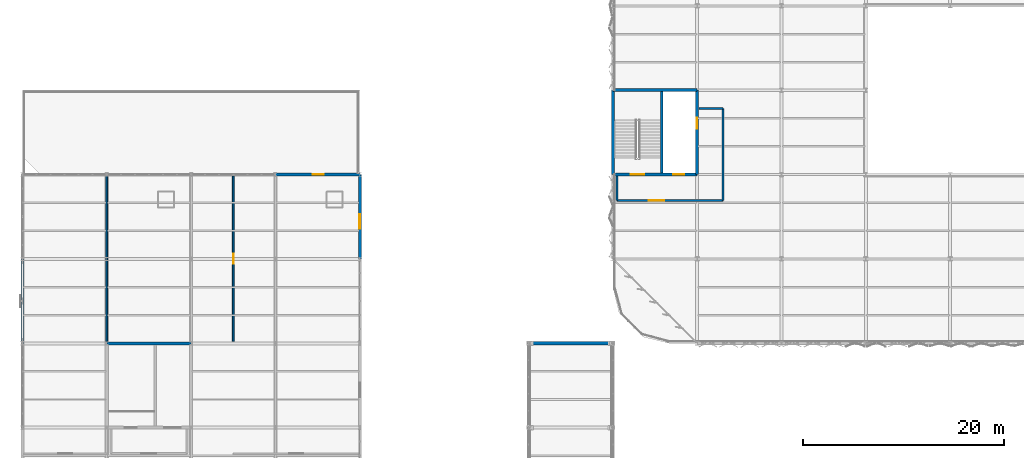
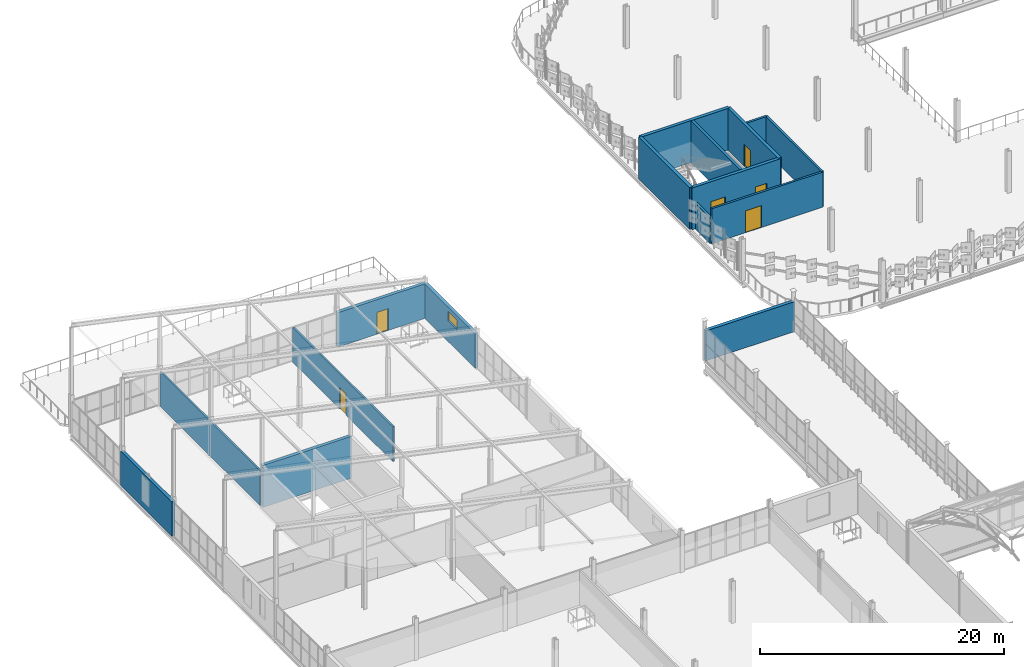
# One storey, part 157 of 184: 16 walls, 6 doors, 1 window, 7 openings.
"""IFC4 building model written with IfcOpenShell, lengths in metres."""

from ifc_helpers import new_model, si_unit, direction, frame, frame_2d, origin, place, context, subcontext, project, spatial, rectangle, extrude, material, layer, layer_set, type_object, element, fill, save


model = new_model("IFC4")

# Units and contexts
model_context = context("Model", 3, precision=1e-05, world=origin(), true_north=direction((0.0, 1.0)))
body_context = subcontext(model_context, "Body", "Model", "MODEL_VIEW")
ifc_project = project(units=[si_unit("LENGTHUNIT", "METRE"), si_unit("AREAUNIT", "SQUARE_METRE"), si_unit("VOLUMEUNIT", "CUBIC_METRE"), si_unit("PLANEANGLEUNIT", "RADIAN"), si_unit("MASSUNIT", "GRAM", prefix="KILO")], contexts=[model_context])

# Site, building, storey
site_placement = place(None, origin())
site = spatial("IfcSite", under=ifc_project, at=site_placement, CompositionType="ELEMENT")
building_placement = place(site_placement, origin())
building = spatial("IfcBuilding", under=site, at=building_placement, Name="Qalvenar Corner Mobility Hub", CompositionType="ELEMENT")
storey_placement = place(building_placement, frame((0.0, 0.0, 9.0)))
storey = spatial("IfcBuildingStorey", under=building, at=storey_placement, Name="L02", CompositionType="ELEMENT", Elevation=9.0)

# Wall
ifc_material_1 = material(Name="Concrete C40/50", Category="concrete")
ifc_layer_1 = layer(ifc_material_1, 0.25)
ifc_layer_set_1 = layer_set([ifc_layer_1], Name="Concrete C40/50")
wall_type_1 = type_object("IfcWallType", Name="WL-CORE250", PredefinedType="SHEAR", material=ifc_layer_set_1)
wall_1_placement = place(storey_placement, frame((63.64990234375, 84.14990234375, 0.0), z_axis=(0.0, 0.0, 1.0), x_axis=(0.0, 1.0, 0.0)))
element("IfcWall", 1, at=wall_1_placement, inside=storey, type_object=wall_type_1, Name="Core Divider Wall C3-L02", PredefinedType="SHEAR", context=body_context, shape_type="SweptSolid", body=[
    extrude(rectangle(XDim=8.10009765625, YDim=0.25, at=frame_2d((4.050048828125, 0.0))), origin(), (0.0, 0.0, 1.0), 4.199951171875),
])

# Wall, openings, doors
ifc_layer_2 = layer(ifc_material_1, 0.300048828125)
ifc_layer_set_2 = layer_set([ifc_layer_2], Name="Concrete C40/50")
wall_type_2 = type_object("IfcWallType", Name="WL-CORE300", PredefinedType="SHEAR", material=ifc_layer_set_2)
wall_2_placement = place(storey_placement, frame((58.800048828125, 84.0, 0.0), z_axis=(0.0, 0.0, 1.0), x_axis=(1.0, 0.0, 0.0)))
wall_2 = element("IfcWall", 2, at=wall_2_placement, inside=storey, type_object=wall_type_2, Name="Core Shear Wall C3-L02-S", PredefinedType="SHEAR", context=body_context, shape_type="SweptSolid", body=[
    extrude(rectangle(XDim=8.39990234375, YDim=0.300048828125, at=frame_2d((4.199951171875, 0.0))), origin(), (0.0, 0.0, 1.0), 4.199951171875),
])
opening_1_placement = place(wall_2_placement, frame((1.800048828125, 0.0, 0.0)))
opening_1 = element("IfcOpeningElement", 3, at=opening_1_placement, cuts=wall_2, Name="Opening DR-166", PredefinedType="OPENING", context=body_context, shape_type="SweptSolid", body=[
    extrude(rectangle(XDim=1.35009765625, YDim=2.199951171875, at=frame_2d((0.675048828125, 1.10009765625))), frame((0.0, 0.16015625, 0.0), z_axis=(0.0, -1.0, 0.0), x_axis=(1.0, 0.0, 0.0)), (0.0, 0.0, 1.0), 0.320068359375),
])
opening_2_placement = place(wall_2_placement, frame((6.0, 0.0, 0.0)))
opening_2 = element("IfcOpeningElement", 4, at=opening_2_placement, cuts=wall_2, Name="Opening DR-167", PredefinedType="OPENING", context=body_context, shape_type="SweptSolid", body=[
    extrude(rectangle(XDim=1.10009765625, YDim=2.199951171875, at=frame_2d((0.550048828125, 1.10009765625))), frame((0.0, 0.16015625, 0.0), z_axis=(0.0, -1.0, 0.0), x_axis=(1.0, 0.0, 0.0)), (0.0, 0.0, 1.0), 0.320068359375),
])
ifc_material_2 = material(Name="Stainless Steel Lift Landing Door", Category="steel")
door_type_1 = type_object("IfcDoorType", Name="DR-LIFT-110", OperationType="SLIDING_TO_LEFT", PredefinedType="DOOR", material=ifc_material_2)
door_1_placement = place(opening_2_placement, origin())
door_1 = element("IfcDoor", 5, at=door_1_placement, inside=storey, type_object=door_type_1, Name="DR-167 Lift Landing Door LP2-L02", OperationType="SLIDING_TO_LEFT", OverallHeight=2.199951171875, OverallWidth=1.10009765625, PredefinedType="DOOR", context=body_context, shape_type="SweptSolid", body=[
    extrude(rectangle(XDim=1.10009765625, YDim=2.199951171875, at=frame_2d((0.550048828125, 1.10009765625))), frame((0.0, 0.02490234375, 0.0), z_axis=(0.0, -1.0, 0.0), x_axis=(1.0, 0.0, 0.0)), (0.0, 0.0, 1.0), 0.050048828125),
])
fill(opening_2, door_1)
ifc_material_3 = material(Name="Fire-Rated Steel Stair Door FD90", Category="steel")
door_type_2 = type_object("IfcDoorType", Name="DR-STAIR-135", OperationType="NOTDEFINED", PredefinedType="DOOR", material=ifc_material_3)
door_2_placement = place(opening_1_placement, origin())
door_2 = element("IfcDoor", 6, at=door_2_placement, inside=storey, type_object=door_type_2, Name="DR-166 Stair Fire Door ST3-L02", OperationType="SINGLE_SWING_LEFT", OverallHeight=2.199951171875, OverallWidth=1.35009765625, PredefinedType="DOOR", context=body_context, shape_type="SweptSolid", body=[
    extrude(rectangle(XDim=1.35009765625, YDim=2.199951171875, at=frame_2d((0.675048828125, 1.10009765625))), frame((0.0, 0.02490234375, 0.0), z_axis=(0.0, -1.0, 0.0), x_axis=(1.0, 0.0, 0.0)), (0.0, 0.0, 1.0), 0.050048828125),
])
fill(opening_1, door_2)

# Wall, opening, door
wall_3_placement = place(storey_placement, frame((67.199951171875, 84.0, 0.0), z_axis=(0.0, 0.0, 1.0), x_axis=(0.0, 1.0, 0.0)))
wall_3 = element("IfcWall", 7, at=wall_3_placement, inside=storey, type_object=wall_type_2, Name="Core Shear Wall C3-L02-E", PredefinedType="SHEAR", context=body_context, shape_type="SweptSolid", body=[
    extrude(rectangle(XDim=8.39990234375, YDim=0.300048828125, at=frame_2d((4.199951171875, 0.0))), origin(), (0.0, 0.0, 1.0), 4.199951171875),
])
opening_3_placement = place(wall_3_placement, frame((4.550048828125, 0.0, 0.0)))
opening_3 = element("IfcOpeningElement", 8, at=opening_3_placement, cuts=wall_3, Name="Opening DR-168", PredefinedType="OPENING", context=body_context, shape_type="SweptSolid", body=[
    extrude(rectangle(XDim=1.10009765625, YDim=2.199951171875, at=frame_2d((0.550048828125, 1.10009765625))), frame((0.0, 0.16015625, 0.0), z_axis=(0.0, -1.0, 0.0), x_axis=(1.0, 0.0, 0.0)), (0.0, 0.0, 1.0), 0.320068359375),
])
door_3_placement = place(opening_3_placement, origin())
door_3 = element("IfcDoor", 9, at=door_3_placement, inside=storey, type_object=door_type_1, Name="DR-168 Lift Landing Door LP3-L02", OperationType="SLIDING_TO_RIGHT", OverallHeight=2.199951171875, OverallWidth=1.10009765625, PredefinedType="DOOR", context=body_context, shape_type="SweptSolid", body=[
    extrude(rectangle(XDim=1.10009765625, YDim=2.199951171875, at=frame_2d((0.550048828125, 1.10009765625))), frame((0.0, 0.02490234375, 0.0), z_axis=(0.0, -1.0, 0.0), x_axis=(1.0, 0.0, 0.0)), (0.0, 0.0, 1.0), 0.050048828125),
])
fill(opening_3, door_3)

# Walls
for number, where, z_axis, x_axis, name in (
    (10, (67.199951171875, 92.39990234375, 0.0), (0.0, 0.0, 1.0), (-1.0, 0.0, 0.0), "Core Shear Wall C3-L02-N"),
    (11, (58.800048828125, 92.39990234375, 0.0), (0.0, 0.0, 1.0), (0.0, -1.0, 0.0), "Core Shear Wall C3-L02-W"),
):
    element("IfcWall", number, at=place(storey_placement, frame(where, z_axis=z_axis, x_axis=x_axis)), inside=storey, type_object=wall_type_2, Name=name, PredefinedType="SHEAR", context=body_context, shape_type="SweptSolid", body=[
        extrude(rectangle(XDim=8.39990234375, YDim=0.300048828125, at=frame_2d((4.199951171875, 0.0))), origin(), (0.0, 0.0, 1.0), 4.199951171875),
    ])
wall_4_placement = place(storey_placement, frame((16.800048828125, 67.199951171875, 0.0), z_axis=(0.0, 0.0, 1.0), x_axis=(-1.0, 0.0, 0.0)))
element("IfcWall", 12, at=wall_4_placement, inside=storey, type_object=wall_type_2, Name="Core Shear Wall C5-L02-N", PredefinedType="SHEAR", context=body_context, shape_type="SweptSolid", body=[
    extrude(rectangle(XDim=8.400146484375, YDim=0.300048828125, at=frame_2d((4.2001953125, 0.0))), origin(), (0.0, 0.0, 1.0), 4.199951171875),
])
ifc_material_4 = material(Name="Lahori Fired Clay Brick Masonry", Category="masonry")
ifc_layer_3 = layer(ifc_material_4, 0.300048828125)
ifc_layer_set_3 = layer_set([ifc_layer_3], Name="Lahori Fired Clay Brick Masonry")
wall_type_3 = type_object("IfcWallType", Name="WL-EXT-BRK300", PredefinedType="STANDARD", material=ifc_layer_set_3)
wall_5_placement = place(storey_placement, frame((0.0, 75.60009765625, 0.0), z_axis=(0.0, 0.0, 1.0), x_axis=(0.0, -1.0, 0.0)))
element("IfcWall", 13, at=wall_5_placement, inside=storey, type_object=wall_type_3, Name="Exterior Facade Wall EW-V5-L02-W3", PredefinedType="STANDARD", context=body_context, shape_type="SweptSolid", body=[
    extrude(rectangle(XDim=8.400146484375, YDim=0.300048828125, at=frame_2d((4.2001953125, 0.0))), origin(), (0.0, 0.0, 1.0), 3.4599609375),
])

# Wall, opening, window
wall_6_placement = place(storey_placement, frame((33.60009765625, 75.60009765625, 0.0), z_axis=(0.0, 0.0, 1.0), x_axis=(0.0, 1.0, 0.0)))
wall_6 = element("IfcWall", 14, at=wall_6_placement, inside=storey, type_object=wall_type_3, Name="Exterior Facade Wall EW-V5-L02-E4", PredefinedType="STANDARD", context=body_context, shape_type="SweptSolid", body=[
    extrude(rectangle(XDim=8.39990234375, YDim=0.300048828125, at=frame_2d((4.199951171875, 0.0))), origin(), (0.0, 0.0, 1.0), 3.4599609375),
])
opening_4_placement = place(wall_6_placement, frame((3.0, 0.0, 2.10009765625)))
opening_4 = element("IfcOpeningElement", 15, at=opening_4_placement, cuts=wall_6, Name="Opening W-42", PredefinedType="OPENING", context=body_context, shape_type="SweptSolid", body=[
    extrude(rectangle(XDim=1.449951171875, YDim=0.949951171875, at=frame_2d((0.72509765625, 0.47509765625))), frame((0.0, 0.16015625, 0.0), z_axis=(0.0, -1.0, 0.0), x_axis=(1.0, 0.0, 0.0)), (0.0, 0.0, 1.0), 0.320068359375),
])
ifc_material_5 = material(Name="Solar-Control Double-Glazed Bronze Window", Category="glass")
window_type = type_object("IfcWindowType", Name="WN-CLR-145X095", PartitioningType="SINGLE_PANEL", PredefinedType="WINDOW", material=ifc_material_5)
window_placement = place(opening_4_placement, origin())
window = element("IfcWindow", 16, at=window_placement, inside=storey, type_object=window_type, Name="Facade Window EW-V5-L02-E4-W1", OverallHeight=0.949951171875, OverallWidth=1.449951171875, PartitioningType="SINGLE_PANEL", PredefinedType="WINDOW", context=body_context, shape_type="SweptSolid", body=[
    extrude(rectangle(XDim=1.449951171875, YDim=0.949951171875, at=frame_2d((0.72509765625, 0.47509765625))), frame((0.0, 0.030029296875, 0.0), z_axis=(0.0, -1.0, 0.0), x_axis=(1.0, 0.0, 0.0)), (0.0, 0.0, 1.0), 0.06005859375),
])
fill(opening_4, window)

# Wall, opening, door
wall_7_placement = place(storey_placement, frame((33.60009765625, 84.0, 0.0), z_axis=(0.0, 0.0, 1.0), x_axis=(-1.0, 0.0, 0.0)))
wall_7 = element("IfcWall", 17, at=wall_7_placement, inside=storey, type_object=wall_type_3, Name="Exterior Facade Wall EW-V5-L02-N3", PredefinedType="STANDARD", context=body_context, shape_type="SweptSolid", body=[
    extrude(rectangle(XDim=8.400146484375, YDim=0.300048828125, at=frame_2d((4.2001953125, 0.0))), origin(), (0.0, 0.0, 1.0), 3.4599609375),
])
opening_5_placement = place(wall_7_placement, frame((3.60009765625, 0.0, 0.0)))
opening_5 = element("IfcOpeningElement", 18, at=opening_5_placement, cuts=wall_7, Name="Opening DR-156", PredefinedType="OPENING", context=body_context, shape_type="SweptSolid", body=[
    extrude(rectangle(XDim=1.10009765625, YDim=2.199951171875, at=frame_2d((0.550048828125, 1.10009765625))), frame((0.0, 0.16015625, 0.0), z_axis=(0.0, -1.0, 0.0), x_axis=(1.0, 0.0, 0.0)), (0.0, 0.0, 1.0), 0.320068359375),
])
ifc_material_6 = material(Name="Glazed Terrace Single Door", Category="aluminium")
door_type_3 = type_object("IfcDoorType", Name="DR-EXT-TER110", OperationType="NOTDEFINED", PredefinedType="DOOR", material=ifc_material_6)
door_4_placement = place(opening_5_placement, origin())
door_4 = element("IfcDoor", 19, at=door_4_placement, inside=storey, type_object=door_type_3, Name="DR-156 Bicycle Lounge Terrace Door L02", OperationType="SINGLE_SWING_LEFT", OverallHeight=2.199951171875, OverallWidth=1.10009765625, PredefinedType="DOOR", context=body_context, shape_type="SweptSolid", body=[
    extrude(rectangle(XDim=1.10009765625, YDim=2.199951171875, at=frame_2d((0.550048828125, 1.10009765625))), frame((0.0, 0.02490234375, 0.0), z_axis=(0.0, -1.0, 0.0), x_axis=(1.0, 0.0, 0.0)), (0.0, 0.0, 1.0), 0.050048828125),
])
fill(opening_5, door_4)

# Walls
ifc_material_7 = material(Name="Red Sandstone Ashlar Masonry", Category="masonry")
ifc_layer_4 = layer(ifc_material_7, 0.320068359375)
ifc_layer_set_4 = layer_set([ifc_layer_4], Name="Red Sandstone Ashlar Masonry")
wall_type_4 = type_object("IfcWallType", Name="WL-EXT-SAND320", PredefinedType="STANDARD", material=ifc_layer_set_4)
wall_8_placement = place(storey_placement, frame((58.800048828125, 67.199951171875, 0.0), z_axis=(0.0, 0.0, 1.0), x_axis=(-1.0, 0.0, 0.0)))
element("IfcWall", 20, at=wall_8_placement, inside=storey, type_object=wall_type_4, Name="Exterior Facade Wall EW-BRG-L02-N", PredefinedType="STANDARD", context=body_context, shape_type="SweptSolid", body=[
    extrude(rectangle(XDim=8.400146484375, YDim=0.320068359375, at=frame_2d((4.2001953125, 0.0))), origin(), (0.0, 0.0, 1.0), 3.0),
])
ifc_material_8 = material(Name="Plastered Clay Brick Partition", Category="masonry")
ifc_layer_5 = layer(ifc_material_8, 0.159912109375)
ifc_layer_set_5 = layer_set([ifc_layer_5], Name="Plastered Clay Brick Partition")
wall_type_5 = type_object("IfcWallType", Name="WL-INT160", PredefinedType="PARTITIONING", material=ifc_layer_set_5)
wall_9_placement = place(storey_placement, frame((8.39990234375, 67.39990234375, 0.0), z_axis=(0.0, 0.0, 1.0), x_axis=(0.0, 1.0, 0.0)))
element("IfcWall", 21, at=wall_9_placement, inside=storey, type_object=wall_type_5, Name="Interior Partition PRT-L02-031", PredefinedType="PARTITIONING", context=body_context, shape_type="SweptSolid", body=[
    extrude(rectangle(XDim=16.4501953125, YDim=0.159912109375, at=frame_2d((8.22509765625, 0.0))), origin(), (0.0, 0.0, 1.0), 3.5),
])

# Wall, opening, door
wall_10_placement = place(storey_placement, frame((21.0, 67.39990234375, 0.0), z_axis=(0.0, 0.0, 1.0), x_axis=(0.0, 1.0, 0.0)))
wall_10 = element("IfcWall", 22, at=wall_10_placement, inside=storey, type_object=wall_type_5, Name="Interior Partition PRT-L02-034", PredefinedType="PARTITIONING", context=body_context, shape_type="SweptSolid", body=[
    extrude(rectangle(XDim=16.4501953125, YDim=0.159912109375, at=frame_2d((8.22509765625, 0.0))), origin(), (0.0, 0.0, 1.0), 3.5),
])
opening_6_placement = place(wall_10_placement, frame((7.72509765625, 0.0, 0.0)))
opening_6 = element("IfcOpeningElement", 23, at=opening_6_placement, cuts=wall_10, Name="Opening DR-193", PredefinedType="OPENING", context=body_context, shape_type="SweptSolid", body=[
    extrude(rectangle(XDim=1.0, YDim=2.14990234375, at=frame_2d((0.5, 1.074951171875))), frame((0.0, 0.08984375, 0.0), z_axis=(0.0, -1.0, 0.0), x_axis=(1.0, 0.0, 0.0)), (0.0, 0.0, 1.0), 0.179931640625),
])
ifc_material_9 = material(Name="Hardwood Teak Office Door FD30", Category="wood")
door_type_4 = type_object("IfcDoorType", Name="DR-INT-OFF100", OperationType="NOTDEFINED", PredefinedType="DOOR", material=ifc_material_9)
door_5_placement = place(opening_6_placement, origin())
door_5 = element("IfcDoor", 24, at=door_5_placement, inside=storey, type_object=door_type_4, Name="DR-193 Active Travel Classroom Door", OperationType="SINGLE_SWING_LEFT", OverallHeight=2.14990234375, OverallWidth=1.0, PredefinedType="DOOR", context=body_context, shape_type="SweptSolid", body=[
    extrude(rectangle(XDim=1.0, YDim=2.14990234375, at=frame_2d((0.5, 1.074951171875))), frame((0.0, 0.02490234375, 0.0), z_axis=(0.0, -1.0, 0.0), x_axis=(1.0, 0.0, 0.0)), (0.0, 0.0, 1.0), 0.050048828125),
])
fill(opening_6, door_5)

# Wall
ifc_material_10 = material(Name="Concrete Blockwork Masonry", Category="masonry")
ifc_layer_6 = layer(ifc_material_10, 0.199951171875)
ifc_layer_set_6 = layer_set([ifc_layer_6], Name="Concrete Blockwork Masonry")
wall_type_6 = type_object("IfcWallType", Name="WL-LOBBY200", PredefinedType="PARTITIONING", material=ifc_layer_set_6)
wall_11_placement = place(storey_placement, frame((59.199951171875, 81.39990234375, 0.0), z_axis=(0.0, 0.0, 1.0), x_axis=(0.0, 1.0, 0.0)))
element("IfcWall", 25, at=wall_11_placement, inside=storey, type_object=wall_type_6, Name="Interior Partition WL-LOB-C3-L02-W", PredefinedType="PARTITIONING", context=body_context, shape_type="SweptSolid", body=[
    extrude(rectangle(XDim=2.4501953125, YDim=0.199951171875, at=frame_2d((1.22509765625, 0.0))), origin(), (0.0, 0.0, 1.0), 2.60009765625),
])

# Wall, opening, door
wall_12_placement = place(storey_placement, frame((59.199951171875, 81.39990234375, 0.0), z_axis=(0.0, 0.0, 1.0), x_axis=(1.0, 0.0, 0.0)))
wall_12 = element("IfcWall", 26, at=wall_12_placement, inside=storey, type_object=wall_type_6, Name="Interior Partition WL-LOB-C3-L02-S", PredefinedType="PARTITIONING", context=body_context, shape_type="SweptSolid", body=[
    extrude(rectangle(XDim=10.550048828125, YDim=0.199951171875, at=frame_2d((5.27490234375, 0.0))), origin(), (0.0, 0.0, 1.0), 3.52001953125),
])
opening_7_placement = place(wall_12_placement, frame((3.199951171875, 0.0, 0.0)))
opening_7 = element("IfcOpeningElement", 27, at=opening_7_placement, cuts=wall_12, Name="Opening DR-169", PredefinedType="OPENING", context=body_context, shape_type="SweptSolid", body=[
    extrude(rectangle(XDim=1.5, YDim=2.199951171875, at=frame_2d((0.75, 1.10009765625))), frame((0.0, 0.10986328125, 0.0), z_axis=(0.0, -1.0, 0.0), x_axis=(1.0, 0.0, 0.0)), (0.0, 0.0, 1.0), 0.219970703125),
])
ifc_material_11 = material(Name="Firefighting Lobby Smoke-Control Door FD60", Category="steel")
door_type_5 = type_object("IfcDoorType", Name="DR-FFLOB-150", OperationType="DOUBLE_DOOR_SINGLE_SWING", PredefinedType="DOOR", material=ifc_material_11)
door_6_placement = place(opening_7_placement, origin())
door_6 = element("IfcDoor", 28, at=door_6_placement, inside=storey, type_object=door_type_5, Name="DR-169 Lift Lobby Smoke Door C3-L02", OperationType="DOUBLE_DOOR_SINGLE_SWING", OverallHeight=2.199951171875, OverallWidth=1.5, PredefinedType="DOOR", context=body_context, shape_type="SweptSolid", body=[
    extrude(rectangle(XDim=1.5, YDim=2.199951171875, at=frame_2d((0.75, 1.10009765625))), frame((0.0, 0.02490234375, 0.0), z_axis=(0.0, -1.0, 0.0), x_axis=(1.0, 0.0, 0.0)), (0.0, 0.0, 1.0), 0.050048828125),
])
fill(opening_7, door_6)

# Walls
wall_13_placement = place(storey_placement, frame((69.75, 81.39990234375, 0.0), z_axis=(0.0, 0.0, 1.0), x_axis=(0.0, 1.0, 0.0)))
element("IfcWall", 29, at=wall_13_placement, inside=storey, type_object=wall_type_6, Name="Interior Partition WL-LOB-C3-L02-E", PredefinedType="PARTITIONING", context=body_context, shape_type="SweptSolid", body=[
    extrude(rectangle(XDim=9.2001953125, YDim=0.199951171875, at=frame_2d((4.60009765625, 0.0))), origin(), (0.0, 0.0, 1.0), 3.52001953125),
])
wall_14_placement = place(storey_placement, frame((67.360107421875, 90.60009765625, 0.0), z_axis=(0.0, 0.0, 1.0), x_axis=(1.0, 0.0, 0.0)))
element("IfcWall", 30, at=wall_14_placement, inside=storey, type_object=wall_type_6, Name="Interior Partition WL-LOB-C3-L02-N", PredefinedType="PARTITIONING", context=body_context, shape_type="SweptSolid", body=[
    extrude(rectangle(XDim=2.389892578125, YDim=0.199951171875, at=frame_2d((1.19482421875, 0.0))), origin(), (0.0, 0.0, 1.0), 3.52001953125),
])

save(model, "model.ifc")
